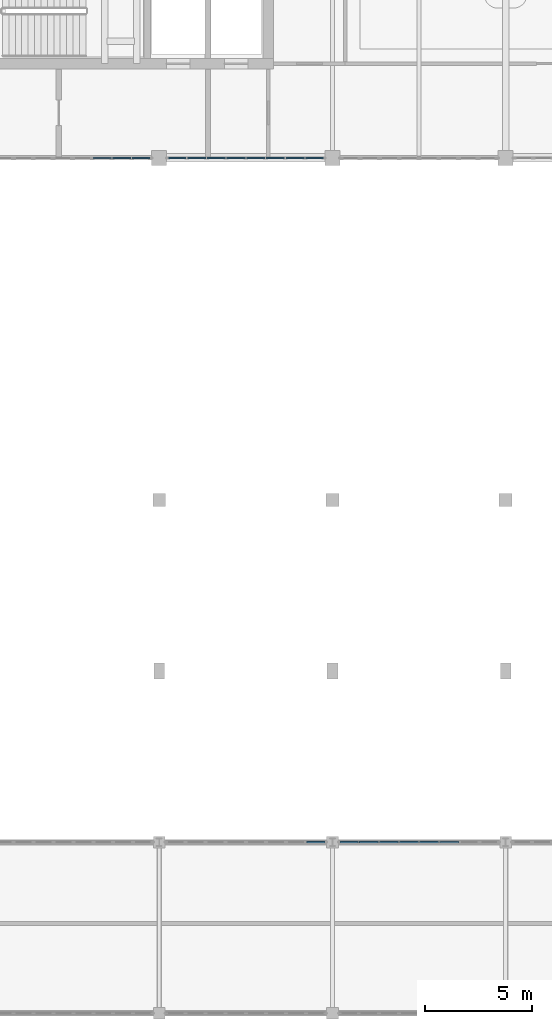
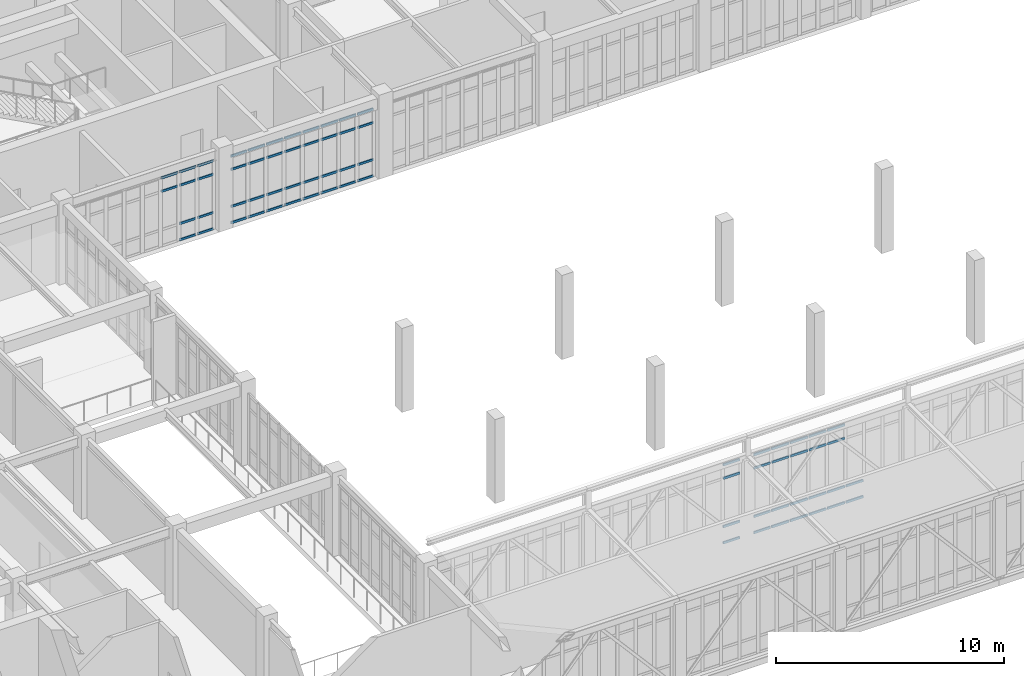
# One storey, part 28 of 67: 68 members, 4 elements without a shape of their own.
"""IFC4 building model written with IfcOpenShell, lengths in metres."""

from ifc_helpers import new_model, si_unit, direction, frame, origin, origin_2d, place, context, subcontext, project, spatial, rectangle, extrude, material, material_profile, profile_set, type_object, element, aggregate, save


model = new_model("IFC4")

# Units and contexts
model_context = context("Model", 3, precision=1e-05, world=origin(), true_north=direction((0.0, 1.0)))
body_context = subcontext(model_context, "Body", "Model", "MODEL_VIEW")
ifc_project = project(units=[si_unit("LENGTHUNIT", "METRE"), si_unit("AREAUNIT", "SQUARE_METRE"), si_unit("VOLUMEUNIT", "CUBIC_METRE"), si_unit("PLANEANGLEUNIT", "RADIAN"), si_unit("MASSUNIT", "GRAM", prefix="KILO")], contexts=[model_context])

# Site, building, storey
site_placement = place(None, origin())
site = spatial("IfcSite", under=ifc_project, at=site_placement, CompositionType="ELEMENT")
building_placement = place(site_placement, origin())
building = spatial("IfcBuilding", under=site, at=building_placement, Name="Tarnveldt Square Police Headquarters", CompositionType="ELEMENT")
storey_placement = place(building_placement, frame((0.0, 0.0, 10.199951171875)))
storey = spatial("IfcBuildingStorey", under=building, at=storey_placement, Name="L02", CompositionType="ELEMENT", Elevation=10.199951171875)

# Curtain wall, members
ifc_material_1 = material(Name="Triple-glazed low-e laminated vision glass", Category="glass")
curtain_wall_type_1 = type_object("IfcCurtainWallType", Name="CW-LB-737x370", PredefinedType="USERDEFINED", material=ifc_material_1)
curtain_wall_1_placement = place(storey_placement, origin())
curtain_wall_1 = element("IfcCurtainWall", 1, at=curtain_wall_1_placement, inside=storey, type_object=curtain_wall_type_1, Name="L02 Curtain Wall CW-L02-112", ObjectType="GLAZED CURTAIN WALL", PredefinedType="USERDEFINED")
ifc_material_2 = material(Name="Thermally broken anodised aluminium 6063-T6", Category="aluminium")
ifc_material_profile = material_profile(ifc_material_2, rectangle(XDim=0.06494140625, YDim=0.1201171875, at=origin_2d()), Name="CW-T65x120")
ifc_profile_set = profile_set([ifc_material_profile], Name="Thermally broken anodised aluminium 6063-T6")
member_type = type_object("IfcMemberType", Name="CWT-65x120", PredefinedType="USERDEFINED", material=ifc_profile_set)
member_1_placement = place(storey_placement, frame((53.608642578125, 96.0, 2.948974609375), z_axis=(1.0, 0.0, 0.0), x_axis=(0.0, 1.0, 0.0)))
member_1 = element("IfcMember", 2, at=member_1_placement, type_object=member_type, Name="CW-LB65 transom 6.3", ObjectType="TRANSOM", PredefinedType="USERDEFINED", context=body_context, shape_type="SweptSolid", body=[
    extrude(rectangle(XDim=0.06494140625, YDim=0.1201171875, at=origin_2d()), origin(), (0.0, 0.0, 1.0), 0.846435546875),
])
member_2_placement = place(storey_placement, frame((53.608642578125, 96.0, 3.66650390625), z_axis=(1.0, 0.0, 0.0), x_axis=(0.0, 1.0, 0.0)))
member_2 = element("IfcMember", 3, at=member_2_placement, type_object=member_type, Name="CW-LB65 transom 6.4", ObjectType="TRANSOM", PredefinedType="USERDEFINED", context=body_context, shape_type="SweptSolid", body=[
    extrude(rectangle(XDim=0.06494140625, YDim=0.1201171875, at=origin_2d()), origin(), (0.0, 0.0, 1.0), 0.846435546875),
])
member_3_placement = place(storey_placement, frame((54.530029296875, 96.0, 0.032470703125), z_axis=(1.0, 0.0, 0.0), x_axis=(0.0, 1.0, 0.0)))
member_3 = element("IfcMember", 4, at=member_3_placement, type_object=member_type, Name="CW-LB65 transom 7.1", ObjectType="TRANSOM", PredefinedType="USERDEFINED", context=body_context, shape_type="SweptSolid", body=[
    extrude(rectangle(XDim=0.06494140625, YDim=0.1201171875, at=origin_2d()), origin(), (0.0, 0.0, 1.0), 0.84619140625),
])
member_4_placement = place(storey_placement, frame((54.530029296875, 96.0, 0.900146484375), z_axis=(1.0, 0.0, 0.0), x_axis=(0.0, 1.0, 0.0)))
member_4 = element("IfcMember", 5, at=member_4_placement, type_object=member_type, Name="CW-LB65 transom 7.2", ObjectType="TRANSOM", PredefinedType="USERDEFINED", context=body_context, shape_type="SweptSolid", body=[
    extrude(rectangle(XDim=0.06494140625, YDim=0.1201171875, at=origin_2d()), origin(), (0.0, 0.0, 1.0), 0.84619140625),
])
member_5_placement = place(storey_placement, frame((54.530029296875, 96.0, 2.948974609375), z_axis=(1.0, 0.0, 0.0), x_axis=(0.0, 1.0, 0.0)))
member_5 = element("IfcMember", 6, at=member_5_placement, type_object=member_type, Name="CW-LB65 transom 7.3", ObjectType="TRANSOM", PredefinedType="USERDEFINED", context=body_context, shape_type="SweptSolid", body=[
    extrude(rectangle(XDim=0.06494140625, YDim=0.1201171875, at=origin_2d()), origin(), (0.0, 0.0, 1.0), 0.84619140625),
])
member_6_placement = place(storey_placement, frame((54.530029296875, 96.0, 3.66650390625), z_axis=(1.0, 0.0, 0.0), x_axis=(0.0, 1.0, 0.0)))
member_6 = element("IfcMember", 7, at=member_6_placement, type_object=member_type, Name="CW-LB65 transom 7.4", ObjectType="TRANSOM", PredefinedType="USERDEFINED", context=body_context, shape_type="SweptSolid", body=[
    extrude(rectangle(XDim=0.06494140625, YDim=0.1201171875, at=origin_2d()), origin(), (0.0, 0.0, 1.0), 0.84619140625),
])
member_7_placement = place(storey_placement, frame((55.451171875, 96.0, 0.032470703125), z_axis=(1.0, 0.0, 0.0), x_axis=(0.0, 1.0, 0.0)))
member_7 = element("IfcMember", 8, at=member_7_placement, type_object=member_type, Name="CW-LB65 transom 8.1", ObjectType="TRANSOM", PredefinedType="USERDEFINED", context=body_context, shape_type="SweptSolid", body=[
    extrude(rectangle(XDim=0.06494140625, YDim=0.1201171875, at=origin_2d()), origin(), (0.0, 0.0, 1.0), 0.808837890625),
])
member_8_placement = place(storey_placement, frame((55.451171875, 96.0, 0.900146484375), z_axis=(1.0, 0.0, 0.0), x_axis=(0.0, 1.0, 0.0)))
member_8 = element("IfcMember", 9, at=member_8_placement, type_object=member_type, Name="CW-LB65 transom 8.2", ObjectType="TRANSOM", PredefinedType="USERDEFINED", context=body_context, shape_type="SweptSolid", body=[
    extrude(rectangle(XDim=0.06494140625, YDim=0.1201171875, at=origin_2d()), origin(), (0.0, 0.0, 1.0), 0.808837890625),
])
member_9_placement = place(storey_placement, frame((55.451171875, 96.0, 2.948974609375), z_axis=(1.0, 0.0, 0.0), x_axis=(0.0, 1.0, 0.0)))
member_9 = element("IfcMember", 10, at=member_9_placement, type_object=member_type, Name="CW-LB65 transom 8.3", ObjectType="TRANSOM", PredefinedType="USERDEFINED", context=body_context, shape_type="SweptSolid", body=[
    extrude(rectangle(XDim=0.06494140625, YDim=0.1201171875, at=origin_2d()), origin(), (0.0, 0.0, 1.0), 0.808837890625),
])
member_10_placement = place(storey_placement, frame((55.451171875, 96.0, 3.66650390625), z_axis=(1.0, 0.0, 0.0), x_axis=(0.0, 1.0, 0.0)))
member_10 = element("IfcMember", 11, at=member_10_placement, type_object=member_type, Name="CW-LB65 transom 8.4", ObjectType="TRANSOM", PredefinedType="USERDEFINED", context=body_context, shape_type="SweptSolid", body=[
    extrude(rectangle(XDim=0.06494140625, YDim=0.1201171875, at=origin_2d()), origin(), (0.0, 0.0, 1.0), 0.808837890625),
])
aggregate(curtain_wall_1, [member_1, member_2, member_3, member_4, member_5, member_6, member_7, member_8, member_9, member_10])

curtain_wall_type_2 = type_object("IfcCurtainWallType", Name="CW-LB-737x363", PredefinedType="USERDEFINED", material=ifc_material_1)
curtain_wall_2_placement = place(storey_placement, origin())
curtain_wall_2 = element("IfcCurtainWall", 12, at=curtain_wall_2_placement, inside=storey, type_object=curtain_wall_type_2, Name="L02 Curtain Wall CW-L02-113", ObjectType="GLAZED CURTAIN WALL", PredefinedType="USERDEFINED")
member_11_placement = place(storey_placement, frame((57.139892578125, 96.0, 0.032470703125), z_axis=(1.0, 0.0, 0.0), x_axis=(0.0, 1.0, 0.0)))
member_11 = element("IfcMember", 13, at=member_11_placement, type_object=member_type, Name="CW-LB66 transom 1.1", ObjectType="TRANSOM", PredefinedType="USERDEFINED", context=body_context, shape_type="SweptSolid", body=[
    extrude(rectangle(XDim=0.06494140625, YDim=0.1201171875, at=origin_2d()), origin(), (0.0, 0.0, 1.0), 0.808837890625),
])
member_12_placement = place(storey_placement, frame((57.139892578125, 96.0, 0.900146484375), z_axis=(1.0, 0.0, 0.0), x_axis=(0.0, 1.0, 0.0)))
member_12 = element("IfcMember", 14, at=member_12_placement, type_object=member_type, Name="CW-LB66 transom 1.2", ObjectType="TRANSOM", PredefinedType="USERDEFINED", context=body_context, shape_type="SweptSolid", body=[
    extrude(rectangle(XDim=0.06494140625, YDim=0.1201171875, at=origin_2d()), origin(), (0.0, 0.0, 1.0), 0.808837890625),
])
member_13_placement = place(storey_placement, frame((57.139892578125, 96.0, 2.882080078125), z_axis=(1.0, 0.0, 0.0), x_axis=(0.0, 1.0, 0.0)))
member_13 = element("IfcMember", 15, at=member_13_placement, type_object=member_type, Name="CW-LB66 transom 1.3", ObjectType="TRANSOM", PredefinedType="USERDEFINED", context=body_context, shape_type="SweptSolid", body=[
    extrude(rectangle(XDim=0.06494140625, YDim=0.1201171875, at=origin_2d()), origin(), (0.0, 0.0, 1.0), 0.808837890625),
])
member_14_placement = place(storey_placement, frame((57.139892578125, 96.0, 3.599609375), z_axis=(1.0, 0.0, 0.0), x_axis=(0.0, 1.0, 0.0)))
member_14 = element("IfcMember", 16, at=member_14_placement, type_object=member_type, Name="CW-LB66 transom 1.4", ObjectType="TRANSOM", PredefinedType="USERDEFINED", context=body_context, shape_type="SweptSolid", body=[
    extrude(rectangle(XDim=0.06494140625, YDim=0.1201171875, at=origin_2d()), origin(), (0.0, 0.0, 1.0), 0.808837890625),
])
member_15_placement = place(storey_placement, frame((58.023681640625, 96.0, 0.032470703125), z_axis=(1.0, 0.0, 0.0), x_axis=(0.0, 1.0, 0.0)))
member_15 = element("IfcMember", 17, at=member_15_placement, type_object=member_type, Name="CW-LB66 transom 2.1", ObjectType="TRANSOM", PredefinedType="USERDEFINED", context=body_context, shape_type="SweptSolid", body=[
    extrude(rectangle(XDim=0.06494140625, YDim=0.1201171875, at=origin_2d()), origin(), (0.0, 0.0, 1.0), 0.846435546875),
])
member_16_placement = place(storey_placement, frame((58.023681640625, 96.0, 0.900146484375), z_axis=(1.0, 0.0, 0.0), x_axis=(0.0, 1.0, 0.0)))
member_16 = element("IfcMember", 18, at=member_16_placement, type_object=member_type, Name="CW-LB66 transom 2.2", ObjectType="TRANSOM", PredefinedType="USERDEFINED", context=body_context, shape_type="SweptSolid", body=[
    extrude(rectangle(XDim=0.06494140625, YDim=0.1201171875, at=origin_2d()), origin(), (0.0, 0.0, 1.0), 0.846435546875),
])
member_17_placement = place(storey_placement, frame((58.023681640625, 96.0, 2.882080078125), z_axis=(1.0, 0.0, 0.0), x_axis=(0.0, 1.0, 0.0)))
member_17 = element("IfcMember", 19, at=member_17_placement, type_object=member_type, Name="CW-LB66 transom 2.3", ObjectType="TRANSOM", PredefinedType="USERDEFINED", context=body_context, shape_type="SweptSolid", body=[
    extrude(rectangle(XDim=0.06494140625, YDim=0.1201171875, at=origin_2d()), origin(), (0.0, 0.0, 1.0), 0.846435546875),
])
member_18_placement = place(storey_placement, frame((58.023681640625, 96.0, 3.599609375), z_axis=(1.0, 0.0, 0.0), x_axis=(0.0, 1.0, 0.0)))
member_18 = element("IfcMember", 20, at=member_18_placement, type_object=member_type, Name="CW-LB66 transom 2.4", ObjectType="TRANSOM", PredefinedType="USERDEFINED", context=body_context, shape_type="SweptSolid", body=[
    extrude(rectangle(XDim=0.06494140625, YDim=0.1201171875, at=origin_2d()), origin(), (0.0, 0.0, 1.0), 0.846435546875),
])
member_19_placement = place(storey_placement, frame((58.945068359375, 96.0, 0.032470703125), z_axis=(1.0, 0.0, 0.0), x_axis=(0.0, 1.0, 0.0)))
member_19 = element("IfcMember", 21, at=member_19_placement, type_object=member_type, Name="CW-LB66 transom 3.1", ObjectType="TRANSOM", PredefinedType="USERDEFINED", context=body_context, shape_type="SweptSolid", body=[
    extrude(rectangle(XDim=0.06494140625, YDim=0.1201171875, at=origin_2d()), origin(), (0.0, 0.0, 1.0), 0.84619140625),
])
member_20_placement = place(storey_placement, frame((58.945068359375, 96.0, 0.900146484375), z_axis=(1.0, 0.0, 0.0), x_axis=(0.0, 1.0, 0.0)))
member_20 = element("IfcMember", 22, at=member_20_placement, type_object=member_type, Name="CW-LB66 transom 3.2", ObjectType="TRANSOM", PredefinedType="USERDEFINED", context=body_context, shape_type="SweptSolid", body=[
    extrude(rectangle(XDim=0.06494140625, YDim=0.1201171875, at=origin_2d()), origin(), (0.0, 0.0, 1.0), 0.84619140625),
])
member_21_placement = place(storey_placement, frame((58.945068359375, 96.0, 2.882080078125), z_axis=(1.0, 0.0, 0.0), x_axis=(0.0, 1.0, 0.0)))
member_21 = element("IfcMember", 23, at=member_21_placement, type_object=member_type, Name="CW-LB66 transom 3.3", ObjectType="TRANSOM", PredefinedType="USERDEFINED", context=body_context, shape_type="SweptSolid", body=[
    extrude(rectangle(XDim=0.06494140625, YDim=0.1201171875, at=origin_2d()), origin(), (0.0, 0.0, 1.0), 0.84619140625),
])
member_22_placement = place(storey_placement, frame((58.945068359375, 96.0, 3.599609375), z_axis=(1.0, 0.0, 0.0), x_axis=(0.0, 1.0, 0.0)))
member_22 = element("IfcMember", 24, at=member_22_placement, type_object=member_type, Name="CW-LB66 transom 3.4", ObjectType="TRANSOM", PredefinedType="USERDEFINED", context=body_context, shape_type="SweptSolid", body=[
    extrude(rectangle(XDim=0.06494140625, YDim=0.1201171875, at=origin_2d()), origin(), (0.0, 0.0, 1.0), 0.84619140625),
])
member_23_placement = place(storey_placement, frame((59.8662109375, 96.0, 0.032470703125), z_axis=(1.0, 0.0, 0.0), x_axis=(0.0, 1.0, 0.0)))
member_23 = element("IfcMember", 25, at=member_23_placement, type_object=member_type, Name="CW-LB66 transom 4.1", ObjectType="TRANSOM", PredefinedType="USERDEFINED", context=body_context, shape_type="SweptSolid", body=[
    extrude(rectangle(XDim=0.06494140625, YDim=0.1201171875, at=origin_2d()), origin(), (0.0, 0.0, 1.0), 0.84619140625),
])
member_24_placement = place(storey_placement, frame((59.8662109375, 96.0, 0.900146484375), z_axis=(1.0, 0.0, 0.0), x_axis=(0.0, 1.0, 0.0)))
member_24 = element("IfcMember", 26, at=member_24_placement, type_object=member_type, Name="CW-LB66 transom 4.2", ObjectType="TRANSOM", PredefinedType="USERDEFINED", context=body_context, shape_type="SweptSolid", body=[
    extrude(rectangle(XDim=0.06494140625, YDim=0.1201171875, at=origin_2d()), origin(), (0.0, 0.0, 1.0), 0.84619140625),
])
member_25_placement = place(storey_placement, frame((59.8662109375, 96.0, 2.882080078125), z_axis=(1.0, 0.0, 0.0), x_axis=(0.0, 1.0, 0.0)))
member_25 = element("IfcMember", 27, at=member_25_placement, type_object=member_type, Name="CW-LB66 transom 4.3", ObjectType="TRANSOM", PredefinedType="USERDEFINED", context=body_context, shape_type="SweptSolid", body=[
    extrude(rectangle(XDim=0.06494140625, YDim=0.1201171875, at=origin_2d()), origin(), (0.0, 0.0, 1.0), 0.84619140625),
])
member_26_placement = place(storey_placement, frame((59.8662109375, 96.0, 3.599609375), z_axis=(1.0, 0.0, 0.0), x_axis=(0.0, 1.0, 0.0)))
member_26 = element("IfcMember", 28, at=member_26_placement, type_object=member_type, Name="CW-LB66 transom 4.4", ObjectType="TRANSOM", PredefinedType="USERDEFINED", context=body_context, shape_type="SweptSolid", body=[
    extrude(rectangle(XDim=0.06494140625, YDim=0.1201171875, at=origin_2d()), origin(), (0.0, 0.0, 1.0), 0.84619140625),
])
member_27_placement = place(storey_placement, frame((60.78759765625, 96.0, 0.032470703125), z_axis=(1.0, 0.0, 0.0), x_axis=(0.0, 1.0, 0.0)))
member_27 = element("IfcMember", 29, at=member_27_placement, type_object=member_type, Name="CW-LB66 transom 5.1", ObjectType="TRANSOM", PredefinedType="USERDEFINED", context=body_context, shape_type="SweptSolid", body=[
    extrude(rectangle(XDim=0.06494140625, YDim=0.1201171875, at=origin_2d()), origin(), (0.0, 0.0, 1.0), 0.84619140625),
])
member_28_placement = place(storey_placement, frame((60.78759765625, 96.0, 0.900146484375), z_axis=(1.0, 0.0, 0.0), x_axis=(0.0, 1.0, 0.0)))
member_28 = element("IfcMember", 30, at=member_28_placement, type_object=member_type, Name="CW-LB66 transom 5.2", ObjectType="TRANSOM", PredefinedType="USERDEFINED", context=body_context, shape_type="SweptSolid", body=[
    extrude(rectangle(XDim=0.06494140625, YDim=0.1201171875, at=origin_2d()), origin(), (0.0, 0.0, 1.0), 0.84619140625),
])
member_29_placement = place(storey_placement, frame((60.78759765625, 96.0, 2.882080078125), z_axis=(1.0, 0.0, 0.0), x_axis=(0.0, 1.0, 0.0)))
member_29 = element("IfcMember", 31, at=member_29_placement, type_object=member_type, Name="CW-LB66 transom 5.3", ObjectType="TRANSOM", PredefinedType="USERDEFINED", context=body_context, shape_type="SweptSolid", body=[
    extrude(rectangle(XDim=0.06494140625, YDim=0.1201171875, at=origin_2d()), origin(), (0.0, 0.0, 1.0), 0.84619140625),
])
member_30_placement = place(storey_placement, frame((60.78759765625, 96.0, 3.599609375), z_axis=(1.0, 0.0, 0.0), x_axis=(0.0, 1.0, 0.0)))
member_30 = element("IfcMember", 32, at=member_30_placement, type_object=member_type, Name="CW-LB66 transom 5.4", ObjectType="TRANSOM", PredefinedType="USERDEFINED", context=body_context, shape_type="SweptSolid", body=[
    extrude(rectangle(XDim=0.06494140625, YDim=0.1201171875, at=origin_2d()), origin(), (0.0, 0.0, 1.0), 0.84619140625),
])
member_31_placement = place(storey_placement, frame((61.708740234375, 96.0, 0.032470703125), z_axis=(1.0, 0.0, 0.0), x_axis=(0.0, 1.0, 0.0)))
member_31 = element("IfcMember", 33, at=member_31_placement, type_object=member_type, Name="CW-LB66 transom 6.1", ObjectType="TRANSOM", PredefinedType="USERDEFINED", context=body_context, shape_type="SweptSolid", body=[
    extrude(rectangle(XDim=0.06494140625, YDim=0.1201171875, at=origin_2d()), origin(), (0.0, 0.0, 1.0), 0.84619140625),
])
member_32_placement = place(storey_placement, frame((61.708740234375, 96.0, 0.900146484375), z_axis=(1.0, 0.0, 0.0), x_axis=(0.0, 1.0, 0.0)))
member_32 = element("IfcMember", 34, at=member_32_placement, type_object=member_type, Name="CW-LB66 transom 6.2", ObjectType="TRANSOM", PredefinedType="USERDEFINED", context=body_context, shape_type="SweptSolid", body=[
    extrude(rectangle(XDim=0.06494140625, YDim=0.1201171875, at=origin_2d()), origin(), (0.0, 0.0, 1.0), 0.84619140625),
])
member_33_placement = place(storey_placement, frame((61.708740234375, 96.0, 2.882080078125), z_axis=(1.0, 0.0, 0.0), x_axis=(0.0, 1.0, 0.0)))
member_33 = element("IfcMember", 35, at=member_33_placement, type_object=member_type, Name="CW-LB66 transom 6.3", ObjectType="TRANSOM", PredefinedType="USERDEFINED", context=body_context, shape_type="SweptSolid", body=[
    extrude(rectangle(XDim=0.06494140625, YDim=0.1201171875, at=origin_2d()), origin(), (0.0, 0.0, 1.0), 0.84619140625),
])
member_34_placement = place(storey_placement, frame((61.708740234375, 96.0, 3.599609375), z_axis=(1.0, 0.0, 0.0), x_axis=(0.0, 1.0, 0.0)))
member_34 = element("IfcMember", 36, at=member_34_placement, type_object=member_type, Name="CW-LB66 transom 6.4", ObjectType="TRANSOM", PredefinedType="USERDEFINED", context=body_context, shape_type="SweptSolid", body=[
    extrude(rectangle(XDim=0.06494140625, YDim=0.1201171875, at=origin_2d()), origin(), (0.0, 0.0, 1.0), 0.84619140625),
])
member_35_placement = place(storey_placement, frame((62.6298828125, 96.0, 0.032470703125), z_axis=(1.0, 0.0, 0.0), x_axis=(0.0, 1.0, 0.0)))
member_35 = element("IfcMember", 37, at=member_35_placement, type_object=member_type, Name="CW-LB66 transom 7.1", ObjectType="TRANSOM", PredefinedType="USERDEFINED", context=body_context, shape_type="SweptSolid", body=[
    extrude(rectangle(XDim=0.06494140625, YDim=0.1201171875, at=origin_2d()), origin(), (0.0, 0.0, 1.0), 0.846435546875),
])
member_36_placement = place(storey_placement, frame((62.6298828125, 96.0, 0.900146484375), z_axis=(1.0, 0.0, 0.0), x_axis=(0.0, 1.0, 0.0)))
member_36 = element("IfcMember", 38, at=member_36_placement, type_object=member_type, Name="CW-LB66 transom 7.2", ObjectType="TRANSOM", PredefinedType="USERDEFINED", context=body_context, shape_type="SweptSolid", body=[
    extrude(rectangle(XDim=0.06494140625, YDim=0.1201171875, at=origin_2d()), origin(), (0.0, 0.0, 1.0), 0.846435546875),
])
member_37_placement = place(storey_placement, frame((62.6298828125, 96.0, 2.882080078125), z_axis=(1.0, 0.0, 0.0), x_axis=(0.0, 1.0, 0.0)))
member_37 = element("IfcMember", 39, at=member_37_placement, type_object=member_type, Name="CW-LB66 transom 7.3", ObjectType="TRANSOM", PredefinedType="USERDEFINED", context=body_context, shape_type="SweptSolid", body=[
    extrude(rectangle(XDim=0.06494140625, YDim=0.1201171875, at=origin_2d()), origin(), (0.0, 0.0, 1.0), 0.846435546875),
])
member_38_placement = place(storey_placement, frame((62.6298828125, 96.0, 3.599609375), z_axis=(1.0, 0.0, 0.0), x_axis=(0.0, 1.0, 0.0)))
member_38 = element("IfcMember", 40, at=member_38_placement, type_object=member_type, Name="CW-LB66 transom 7.4", ObjectType="TRANSOM", PredefinedType="USERDEFINED", context=body_context, shape_type="SweptSolid", body=[
    extrude(rectangle(XDim=0.06494140625, YDim=0.1201171875, at=origin_2d()), origin(), (0.0, 0.0, 1.0), 0.846435546875),
])
member_39_placement = place(storey_placement, frame((63.55126953125, 96.0, 0.032470703125), z_axis=(1.0, 0.0, 0.0), x_axis=(0.0, 1.0, 0.0)))
member_39 = element("IfcMember", 41, at=member_39_placement, type_object=member_type, Name="CW-LB66 transom 8.1", ObjectType="TRANSOM", PredefinedType="USERDEFINED", context=body_context, shape_type="SweptSolid", body=[
    extrude(rectangle(XDim=0.06494140625, YDim=0.1201171875, at=origin_2d()), origin(), (0.0, 0.0, 1.0), 0.808837890625),
])
member_40_placement = place(storey_placement, frame((63.55126953125, 96.0, 0.900146484375), z_axis=(1.0, 0.0, 0.0), x_axis=(0.0, 1.0, 0.0)))
member_40 = element("IfcMember", 42, at=member_40_placement, type_object=member_type, Name="CW-LB66 transom 8.2", ObjectType="TRANSOM", PredefinedType="USERDEFINED", context=body_context, shape_type="SweptSolid", body=[
    extrude(rectangle(XDim=0.06494140625, YDim=0.1201171875, at=origin_2d()), origin(), (0.0, 0.0, 1.0), 0.808837890625),
])
member_41_placement = place(storey_placement, frame((63.55126953125, 96.0, 2.882080078125), z_axis=(1.0, 0.0, 0.0), x_axis=(0.0, 1.0, 0.0)))
member_41 = element("IfcMember", 43, at=member_41_placement, type_object=member_type, Name="CW-LB66 transom 8.3", ObjectType="TRANSOM", PredefinedType="USERDEFINED", context=body_context, shape_type="SweptSolid", body=[
    extrude(rectangle(XDim=0.06494140625, YDim=0.1201171875, at=origin_2d()), origin(), (0.0, 0.0, 1.0), 0.808837890625),
])
member_42_placement = place(storey_placement, frame((63.55126953125, 96.0, 3.599609375), z_axis=(1.0, 0.0, 0.0), x_axis=(0.0, 1.0, 0.0)))
member_42 = element("IfcMember", 44, at=member_42_placement, type_object=member_type, Name="CW-LB66 transom 8.4", ObjectType="TRANSOM", PredefinedType="USERDEFINED", context=body_context, shape_type="SweptSolid", body=[
    extrude(rectangle(XDim=0.06494140625, YDim=0.1201171875, at=origin_2d()), origin(), (0.0, 0.0, 1.0), 0.808837890625),
])
aggregate(curtain_wall_2, [member_11, member_12, member_13, member_14, member_15, member_16, member_17, member_18, member_19, member_20, member_21, member_22, member_23, member_24, member_25, member_26, member_27, member_28, member_29, member_30, member_31, member_32, member_33, member_34, member_35, member_36, member_37, member_38, member_39, member_40, member_41, member_42])

curtain_wall_type_3 = type_object("IfcCurtainWallType", Name="CW-SB-752x424", PredefinedType="USERDEFINED", material=ifc_material_1)
curtain_wall_3_placement = place(storey_placement, origin())
curtain_wall_3 = element("IfcCurtainWall", 45, at=curtain_wall_3_placement, inside=storey, type_object=curtain_wall_type_3, Name="L02 Curtain Wall CW-L02-146", ObjectType="GLAZED CURTAIN WALL", PredefinedType="USERDEFINED")
member_43_placement = place(storey_placement, frame((63.6025390625, 64.0, 0.032470703125), z_axis=(1.0, 0.0, 0.0), x_axis=(0.0, 1.0, 0.0)))
member_43 = element("IfcMember", 46, at=member_43_placement, type_object=member_type, Name="CW-SB86 transom 8.1", ObjectType="TRANSOM", PredefinedType="USERDEFINED", context=body_context, shape_type="SweptSolid", body=[
    extrude(rectangle(XDim=0.06494140625, YDim=0.1201171875, at=origin_2d()), origin(), (0.0, 0.0, 1.0), 0.842529296875),
])
member_44_placement = place(storey_placement, frame((63.6025390625, 64.0, 0.900146484375), z_axis=(1.0, 0.0, 0.0), x_axis=(0.0, 1.0, 0.0)))
member_44 = element("IfcMember", 47, at=member_44_placement, type_object=member_type, Name="CW-SB86 transom 8.2", ObjectType="TRANSOM", PredefinedType="USERDEFINED", context=body_context, shape_type="SweptSolid", body=[
    extrude(rectangle(XDim=0.06494140625, YDim=0.1201171875, at=origin_2d()), origin(), (0.0, 0.0, 1.0), 0.842529296875),
])
member_45_placement = place(storey_placement, frame((63.6025390625, 64.0, 3.489990234375), z_axis=(1.0, 0.0, 0.0), x_axis=(0.0, 1.0, 0.0)))
member_45 = element("IfcMember", 48, at=member_45_placement, type_object=member_type, Name="CW-SB86 transom 8.3", ObjectType="TRANSOM", PredefinedType="USERDEFINED", context=body_context, shape_type="SweptSolid", body=[
    extrude(rectangle(XDim=0.06494140625, YDim=0.1201171875, at=origin_2d()), origin(), (0.0, 0.0, 1.0), 0.842529296875),
])
member_46_placement = place(storey_placement, frame((63.6025390625, 64.0, 4.20751953125), z_axis=(1.0, 0.0, 0.0), x_axis=(0.0, 1.0, 0.0)))
member_46 = element("IfcMember", 49, at=member_46_placement, type_object=member_type, Name="CW-SB86 transom 8.4", ObjectType="TRANSOM", PredefinedType="USERDEFINED", context=body_context, shape_type="SweptSolid", body=[
    extrude(rectangle(XDim=0.06494140625, YDim=0.1201171875, at=origin_2d()), origin(), (0.0, 0.0, 1.0), 0.842529296875),
])
aggregate(curtain_wall_3, [member_43, member_44, member_45, member_46])

curtain_wall_4_placement = place(storey_placement, origin())
curtain_wall_4 = element("IfcCurtainWall", 50, at=curtain_wall_4_placement, inside=storey, type_object=curtain_wall_type_3, Name="L02 Curtain Wall CW-L02-147", ObjectType="GLAZED CURTAIN WALL", PredefinedType="USERDEFINED")
member_47_placement = place(storey_placement, frame((65.155029296875, 64.0, 0.032470703125), z_axis=(1.0, 0.0, 0.0), x_axis=(0.0, 1.0, 0.0)))
member_47 = element("IfcMember", 51, at=member_47_placement, type_object=member_type, Name="CW-SB86 transom 1.1", ObjectType="TRANSOM", PredefinedType="USERDEFINED", context=body_context, shape_type="SweptSolid", body=[
    extrude(rectangle(XDim=0.06494140625, YDim=0.1201171875, at=origin_2d()), origin(), (0.0, 0.0, 1.0), 0.842529296875),
])
member_48_placement = place(storey_placement, frame((65.155029296875, 64.0, 0.900146484375), z_axis=(1.0, 0.0, 0.0), x_axis=(0.0, 1.0, 0.0)))
member_48 = element("IfcMember", 52, at=member_48_placement, type_object=member_type, Name="CW-SB86 transom 1.2", ObjectType="TRANSOM", PredefinedType="USERDEFINED", context=body_context, shape_type="SweptSolid", body=[
    extrude(rectangle(XDim=0.06494140625, YDim=0.1201171875, at=origin_2d()), origin(), (0.0, 0.0, 1.0), 0.842529296875),
])
member_49_placement = place(storey_placement, frame((65.155029296875, 64.0, 3.489990234375), z_axis=(1.0, 0.0, 0.0), x_axis=(0.0, 1.0, 0.0)))
member_49 = element("IfcMember", 53, at=member_49_placement, type_object=member_type, Name="CW-SB86 transom 1.3", ObjectType="TRANSOM", PredefinedType="USERDEFINED", context=body_context, shape_type="SweptSolid", body=[
    extrude(rectangle(XDim=0.06494140625, YDim=0.1201171875, at=origin_2d()), origin(), (0.0, 0.0, 1.0), 0.842529296875),
])
member_50_placement = place(storey_placement, frame((65.155029296875, 64.0, 4.20751953125), z_axis=(1.0, 0.0, 0.0), x_axis=(0.0, 1.0, 0.0)))
member_50 = element("IfcMember", 54, at=member_50_placement, type_object=member_type, Name="CW-SB86 transom 1.4", ObjectType="TRANSOM", PredefinedType="USERDEFINED", context=body_context, shape_type="SweptSolid", body=[
    extrude(rectangle(XDim=0.06494140625, YDim=0.1201171875, at=origin_2d()), origin(), (0.0, 0.0, 1.0), 0.842529296875),
])
member_51_placement = place(storey_placement, frame((66.0625, 64.0, 0.032470703125), z_axis=(1.0, 0.0, 0.0), x_axis=(0.0, 1.0, 0.0)))
member_51 = element("IfcMember", 55, at=member_51_placement, type_object=member_type, Name="CW-SB86 transom 2.1", ObjectType="TRANSOM", PredefinedType="USERDEFINED", context=body_context, shape_type="SweptSolid", body=[
    extrude(rectangle(XDim=0.06494140625, YDim=0.1201171875, at=origin_2d()), origin(), (0.0, 0.0, 1.0), 0.875),
])
member_52_placement = place(storey_placement, frame((66.0625, 64.0, 0.900146484375), z_axis=(1.0, 0.0, 0.0), x_axis=(0.0, 1.0, 0.0)))
member_52 = element("IfcMember", 56, at=member_52_placement, type_object=member_type, Name="CW-SB86 transom 2.2", ObjectType="TRANSOM", PredefinedType="USERDEFINED", context=body_context, shape_type="SweptSolid", body=[
    extrude(rectangle(XDim=0.06494140625, YDim=0.1201171875, at=origin_2d()), origin(), (0.0, 0.0, 1.0), 0.875),
])
member_53_placement = place(storey_placement, frame((66.0625, 64.0, 3.489990234375), z_axis=(1.0, 0.0, 0.0), x_axis=(0.0, 1.0, 0.0)))
member_53 = element("IfcMember", 57, at=member_53_placement, type_object=member_type, Name="CW-SB86 transom 2.3", ObjectType="TRANSOM", PredefinedType="USERDEFINED", context=body_context, shape_type="SweptSolid", body=[
    extrude(rectangle(XDim=0.06494140625, YDim=0.1201171875, at=origin_2d()), origin(), (0.0, 0.0, 1.0), 0.875),
])
member_54_placement = place(storey_placement, frame((66.0625, 64.0, 4.20751953125), z_axis=(1.0, 0.0, 0.0), x_axis=(0.0, 1.0, 0.0)))
member_54 = element("IfcMember", 58, at=member_54_placement, type_object=member_type, Name="CW-SB86 transom 2.4", ObjectType="TRANSOM", PredefinedType="USERDEFINED", context=body_context, shape_type="SweptSolid", body=[
    extrude(rectangle(XDim=0.06494140625, YDim=0.1201171875, at=origin_2d()), origin(), (0.0, 0.0, 1.0), 0.875),
])
member_55_placement = place(storey_placement, frame((67.00244140625, 64.0, 0.032470703125), z_axis=(1.0, 0.0, 0.0), x_axis=(0.0, 1.0, 0.0)))
member_55 = element("IfcMember", 59, at=member_55_placement, type_object=member_type, Name="CW-SB86 transom 3.1", ObjectType="TRANSOM", PredefinedType="USERDEFINED", context=body_context, shape_type="SweptSolid", body=[
    extrude(rectangle(XDim=0.06494140625, YDim=0.1201171875, at=origin_2d()), origin(), (0.0, 0.0, 1.0), 0.875),
])
member_56_placement = place(storey_placement, frame((67.00244140625, 64.0, 0.900146484375), z_axis=(1.0, 0.0, 0.0), x_axis=(0.0, 1.0, 0.0)))
member_56 = element("IfcMember", 60, at=member_56_placement, type_object=member_type, Name="CW-SB86 transom 3.2", ObjectType="TRANSOM", PredefinedType="USERDEFINED", context=body_context, shape_type="SweptSolid", body=[
    extrude(rectangle(XDim=0.06494140625, YDim=0.1201171875, at=origin_2d()), origin(), (0.0, 0.0, 1.0), 0.875),
])
member_57_placement = place(storey_placement, frame((67.00244140625, 64.0, 3.489990234375), z_axis=(1.0, 0.0, 0.0), x_axis=(0.0, 1.0, 0.0)))
member_57 = element("IfcMember", 61, at=member_57_placement, type_object=member_type, Name="CW-SB86 transom 3.3", ObjectType="TRANSOM", PredefinedType="USERDEFINED", context=body_context, shape_type="SweptSolid", body=[
    extrude(rectangle(XDim=0.06494140625, YDim=0.1201171875, at=origin_2d()), origin(), (0.0, 0.0, 1.0), 0.875),
])
member_58_placement = place(storey_placement, frame((67.00244140625, 64.0, 4.20751953125), z_axis=(1.0, 0.0, 0.0), x_axis=(0.0, 1.0, 0.0)))
member_58 = element("IfcMember", 62, at=member_58_placement, type_object=member_type, Name="CW-SB86 transom 3.4", ObjectType="TRANSOM", PredefinedType="USERDEFINED", context=body_context, shape_type="SweptSolid", body=[
    extrude(rectangle(XDim=0.06494140625, YDim=0.1201171875, at=origin_2d()), origin(), (0.0, 0.0, 1.0), 0.875),
])
member_59_placement = place(storey_placement, frame((67.9423828125, 64.0, 0.032470703125), z_axis=(1.0, 0.0, 0.0), x_axis=(0.0, 1.0, 0.0)))
member_59 = element("IfcMember", 63, at=member_59_placement, type_object=member_type, Name="CW-SB86 transom 4.1", ObjectType="TRANSOM", PredefinedType="USERDEFINED", context=body_context, shape_type="SweptSolid", body=[
    extrude(rectangle(XDim=0.06494140625, YDim=0.1201171875, at=origin_2d()), origin(), (0.0, 0.0, 1.0), 0.875),
])
member_60_placement = place(storey_placement, frame((67.9423828125, 64.0, 0.900146484375), z_axis=(1.0, 0.0, 0.0), x_axis=(0.0, 1.0, 0.0)))
member_60 = element("IfcMember", 64, at=member_60_placement, type_object=member_type, Name="CW-SB86 transom 4.2", ObjectType="TRANSOM", PredefinedType="USERDEFINED", context=body_context, shape_type="SweptSolid", body=[
    extrude(rectangle(XDim=0.06494140625, YDim=0.1201171875, at=origin_2d()), origin(), (0.0, 0.0, 1.0), 0.875),
])
member_61_placement = place(storey_placement, frame((67.9423828125, 64.0, 3.489990234375), z_axis=(1.0, 0.0, 0.0), x_axis=(0.0, 1.0, 0.0)))
member_61 = element("IfcMember", 65, at=member_61_placement, type_object=member_type, Name="CW-SB86 transom 4.3", ObjectType="TRANSOM", PredefinedType="USERDEFINED", context=body_context, shape_type="SweptSolid", body=[
    extrude(rectangle(XDim=0.06494140625, YDim=0.1201171875, at=origin_2d()), origin(), (0.0, 0.0, 1.0), 0.875),
])
member_62_placement = place(storey_placement, frame((67.9423828125, 64.0, 4.20751953125), z_axis=(1.0, 0.0, 0.0), x_axis=(0.0, 1.0, 0.0)))
member_62 = element("IfcMember", 66, at=member_62_placement, type_object=member_type, Name="CW-SB86 transom 4.4", ObjectType="TRANSOM", PredefinedType="USERDEFINED", context=body_context, shape_type="SweptSolid", body=[
    extrude(rectangle(XDim=0.06494140625, YDim=0.1201171875, at=origin_2d()), origin(), (0.0, 0.0, 1.0), 0.875),
])
member_63_placement = place(storey_placement, frame((68.882568359375, 64.0, 0.032470703125), z_axis=(1.0, 0.0, 0.0), x_axis=(0.0, 1.0, 0.0)))
member_63 = element("IfcMember", 67, at=member_63_placement, type_object=member_type, Name="CW-SB86 transom 5.1", ObjectType="TRANSOM", PredefinedType="USERDEFINED", context=body_context, shape_type="SweptSolid", body=[
    extrude(rectangle(XDim=0.06494140625, YDim=0.1201171875, at=origin_2d()), origin(), (0.0, 0.0, 1.0), 0.875),
])
member_64_placement = place(storey_placement, frame((68.882568359375, 64.0, 0.900146484375), z_axis=(1.0, 0.0, 0.0), x_axis=(0.0, 1.0, 0.0)))
member_64 = element("IfcMember", 68, at=member_64_placement, type_object=member_type, Name="CW-SB86 transom 5.2", ObjectType="TRANSOM", PredefinedType="USERDEFINED", context=body_context, shape_type="SweptSolid", body=[
    extrude(rectangle(XDim=0.06494140625, YDim=0.1201171875, at=origin_2d()), origin(), (0.0, 0.0, 1.0), 0.875),
])
member_65_placement = place(storey_placement, frame((68.882568359375, 64.0, 3.489990234375), z_axis=(1.0, 0.0, 0.0), x_axis=(0.0, 1.0, 0.0)))
member_65 = element("IfcMember", 69, at=member_65_placement, type_object=member_type, Name="CW-SB86 transom 5.3", ObjectType="TRANSOM", PredefinedType="USERDEFINED", context=body_context, shape_type="SweptSolid", body=[
    extrude(rectangle(XDim=0.06494140625, YDim=0.1201171875, at=origin_2d()), origin(), (0.0, 0.0, 1.0), 0.875),
])
member_66_placement = place(storey_placement, frame((68.882568359375, 64.0, 4.20751953125), z_axis=(1.0, 0.0, 0.0), x_axis=(0.0, 1.0, 0.0)))
member_66 = element("IfcMember", 70, at=member_66_placement, type_object=member_type, Name="CW-SB86 transom 5.4", ObjectType="TRANSOM", PredefinedType="USERDEFINED", context=body_context, shape_type="SweptSolid", body=[
    extrude(rectangle(XDim=0.06494140625, YDim=0.1201171875, at=origin_2d()), origin(), (0.0, 0.0, 1.0), 0.875),
])
member_67_placement = place(storey_placement, frame((69.822509765625, 64.0, 0.032470703125), z_axis=(1.0, 0.0, 0.0), x_axis=(0.0, 1.0, 0.0)))
member_67 = element("IfcMember", 71, at=member_67_placement, type_object=member_type, Name="CW-SB86 transom 6.1", ObjectType="TRANSOM", PredefinedType="USERDEFINED", context=body_context, shape_type="SweptSolid", body=[
    extrude(rectangle(XDim=0.06494140625, YDim=0.1201171875, at=origin_2d()), origin(), (0.0, 0.0, 1.0), 0.875),
])
member_68_placement = place(storey_placement, frame((69.822509765625, 64.0, 0.900146484375), z_axis=(1.0, 0.0, 0.0), x_axis=(0.0, 1.0, 0.0)))
member_68 = element("IfcMember", 72, at=member_68_placement, type_object=member_type, Name="CW-SB86 transom 6.2", ObjectType="TRANSOM", PredefinedType="USERDEFINED", context=body_context, shape_type="SweptSolid", body=[
    extrude(rectangle(XDim=0.06494140625, YDim=0.1201171875, at=origin_2d()), origin(), (0.0, 0.0, 1.0), 0.875),
])
aggregate(curtain_wall_4, [member_47, member_48, member_49, member_50, member_51, member_52, member_53, member_54, member_55, member_56, member_57, member_58, member_59, member_60, member_61, member_62, member_63, member_64, member_65, member_66, member_67, member_68])

save(model, "model.ifc")
